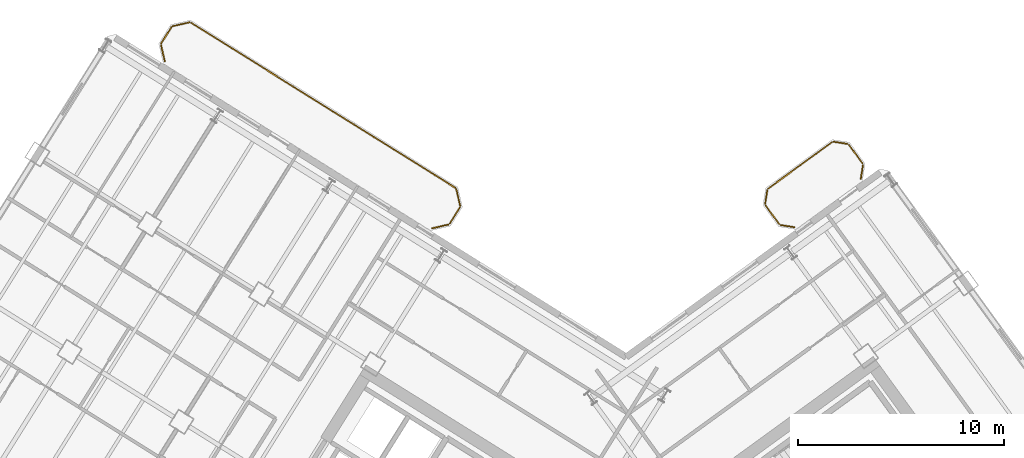
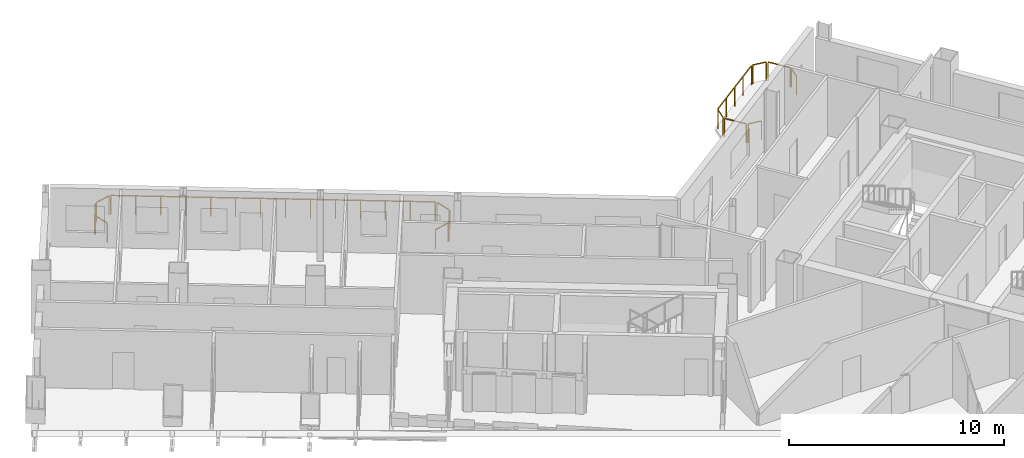
# One storey, part 20 of 20: 14 railings.
"""IFC4 building model written with IfcOpenShell, lengths in metres."""

from ifc_helpers import new_model, si_unit, direction, frame, origin, origin_2d, place, context, subcontext, project, spatial, rectangle, extrude, source, transform, mapped, material, type_object, element, save


model = new_model("IFC4")

# Units and contexts
model_context = context("Model", 3, precision=1e-05, world=origin(), true_north=direction((0.0, 1.0)))
body_context = subcontext(model_context, "Body", "Model", "MODEL_VIEW")
ifc_project = project(units=[si_unit("LENGTHUNIT", "METRE"), si_unit("AREAUNIT", "SQUARE_METRE"), si_unit("VOLUMEUNIT", "CUBIC_METRE"), si_unit("PLANEANGLEUNIT", "RADIAN"), si_unit("MASSUNIT", "GRAM", prefix="KILO")], contexts=[model_context])

# Site, building, storey
site_placement = place(None, origin())
site = spatial("IfcSite", under=ifc_project, at=site_placement, CompositionType="ELEMENT")
building_placement = place(site_placement, origin())
building = spatial("IfcBuilding", under=site, at=building_placement, Name="Tlacorven Tower", CompositionType="ELEMENT")
storey_placement = place(building_placement, frame((0.0, 0.0, 116.10009765625)))
storey = spatial("IfcBuildingStorey", under=building, at=storey_placement, Name="L29", CompositionType="ELEMENT", Elevation=116.10009765625)

# Railings
ifc_material = material(Name="Aluminium and painted steel balustrade", Category="steel")
railing_type = type_object("IfcRailingType", Name="RL-BAL-1100", PredefinedType="BALUSTRADE", material=ifc_material)
shared_shape_1 = source(origin(), body_context, "Body", "SweptSolid", [
    extrude(rectangle(XDim=0.048095703125, YDim=0.048095703125, at=origin_2d()), frame((0.0, 0.0, 1.076171875), z_axis=(0.974345290916, 0.225058334816, 0.0), x_axis=(-0.225058334816, 0.974345290916, 0.0)), (0.0, 0.0, 1.0), 0.80712890625),
    extrude(rectangle(XDim=0.0419921875, YDim=0.0419921875, at=origin_2d()), origin(), (0.0, 0.0, 1.0), 1.052001953125),
    extrude(rectangle(XDim=0.0419921875, YDim=0.0419921875, at=origin_2d()), frame((0.786376953125, 0.181640625, 0.0)), (0.0, 0.0, 1.0), 1.052001953125),
])
railing_1_placement = place(storey_placement, frame((20.2138671875, 47.643798828125, 0.0)))
element("IfcRailing", 1, at=railing_1_placement, inside=storey, type_object=railing_type, Name="BAL-L29-W-IN Guard Railing 6", PredefinedType="BALUSTRADE", context=body_context, shape_type="MappedRepresentation", body=[
    mapped(shared_shape_1, transform((0.0, 0.0, 0.0), scale=1.0)),
])
shared_shape_2 = source(origin(), body_context, "Body", "SweptSolid", [
    extrude(rectangle(XDim=0.048095703125, YDim=0.048095703125, at=origin_2d()), frame((0.0, 0.0, 1.076171875), z_axis=(-0.987661653326, 0.156602868908, 0.0), x_axis=(-0.156602868908, -0.987661653326, 0.0)), (0.0, 0.0, 1.0), 0.665771484375),
    extrude(rectangle(XDim=0.0419921875, YDim=0.0419921875, at=origin_2d()), origin(), (0.0, 0.0, 1.0), 1.052001953125),
    extrude(rectangle(XDim=0.0419921875, YDim=0.0419921875, at=origin_2d()), frame((-0.657470703125, 0.104248046875, 0.0)), (0.0, 0.0, 1.0), 1.052001953125),
])
railing_2_placement = place(storey_placement, frame((50.359130859375, 37.891845703125, 0.0)))
element("IfcRailing", 2, at=railing_2_placement, inside=storey, type_object=railing_type, Name="BAL-L29-E-IN Guard Railing 1", PredefinedType="BALUSTRADE", context=body_context, shape_type="MappedRepresentation", body=[
    mapped(shared_shape_2, transform((0.0, 0.0, 0.0), scale=1.0)),
])
shared_shape_3 = source(origin(), body_context, "Body", "SweptSolid", [
    extrude(rectangle(XDim=0.048095703125, YDim=0.048095703125, at=origin_2d()), frame((0.0, 0.0, 1.076171875), z_axis=(0.156602868908, 0.987661653326, 0.0), x_axis=(-0.987661653326, 0.156602868908, 0.0)), (0.0, 0.0, 1.0), 0.665771484375),
    extrude(rectangle(XDim=0.0419921875, YDim=0.0419921875, at=origin_2d()), origin(), (0.0, 0.0, 1.0), 1.052001953125),
    extrude(rectangle(XDim=0.0419921875, YDim=0.0419921875, at=origin_2d()), frame((0.104248046875, 0.657470703125, 0.0)), (0.0, 0.0, 1.0), 1.052001953125),
])
railing_3_placement = place(storey_placement, frame((48.947509765625, 39.033935546875, 0.0)))
element("IfcRailing", 3, at=railing_3_placement, inside=storey, type_object=railing_type, Name="BAL-L29-E-IN Guard Railing 3", PredefinedType="BALUSTRADE", context=body_context, shape_type="MappedRepresentation", body=[
    mapped(shared_shape_3, transform((0.0, 0.0, 0.0), scale=1.0)),
])
shared_shape_4 = source(origin(), body_context, "Body", "SweptSolid", [
    extrude(rectangle(XDim=0.048095703125, YDim=0.048095703125, at=origin_2d()), frame((0.0, 0.0, 1.076171875), z_axis=(-0.156245081039, -0.987718317463, 0.0), x_axis=(0.987718317463, -0.156245081039, 0.0)), (0.0, 0.0, 1.0), 0.66552734375),
    extrude(rectangle(XDim=0.0419921875, YDim=0.0419921875, at=origin_2d()), origin(), (0.0, 0.0, 1.0), 1.052001953125),
    extrude(rectangle(XDim=0.0419921875, YDim=0.0419921875, at=origin_2d()), frame((-0.10400390625, -0.657470703125, 0.0)), (0.0, 0.0, 1.0), 1.052001953125),
])
railing_4_placement = place(storey_placement, frame((53.689453125, 40.893310546875, 0.0)))
element("IfcRailing", 4, at=railing_4_placement, inside=storey, type_object=railing_type, Name="BAL-L29-E-IN Guard Railing 7", PredefinedType="BALUSTRADE", context=body_context, shape_type="MappedRepresentation", body=[
    mapped(shared_shape_4, transform((0.0, 0.0, 0.0), scale=1.0)),
])
shared_shape_5 = source(origin(), body_context, "Body", "SweptSolid", [
    extrude(rectangle(XDim=0.048095703125, YDim=0.048095703125, at=origin_2d()), frame((0.0, 0.0, 1.076171875), z_axis=(0.529998940003, 0.847998304005, 0.0), x_axis=(-0.847998304005, 0.529998940003, 0.0)), (0.0, 0.0, 1.0), 0.912109375),
    extrude(rectangle(XDim=0.0419921875, YDim=0.0419921875, at=origin_2d()), origin(), (0.0, 0.0, 1.0), 1.052001953125),
    extrude(rectangle(XDim=0.0419921875, YDim=0.0419921875, at=origin_2d()), frame((0.4833984375, 0.7734375, 0.0)), (0.0, 0.0, 1.0), 1.052001953125),
])
railing_5_placement = place(storey_placement, frame((19.6552734375, 46.816650390625, 0.0)))
element("IfcRailing", 5, at=railing_5_placement, inside=storey, type_object=railing_type, Name="BAL-L29-W-IN Guard Railing 5", PredefinedType="BALUSTRADE", context=body_context, shape_type="MappedRepresentation", body=[
    mapped(shared_shape_5, transform((0.0, 0.0, 0.0), scale=1.0)),
])
shared_shape_6 = source(origin(), body_context, "Body", "SweptSolid", [
    extrude(rectangle(XDim=0.048095703125, YDim=0.048095703125, at=origin_2d()), frame((0.0, 0.0, 1.076171875), z_axis=(0.224992020761, -0.974360606036, 0.0), x_axis=(0.974360606036, 0.224992020761, 0.0)), (0.0, 0.0, 1.0), 0.807373046875),
    extrude(rectangle(XDim=0.0419921875, YDim=0.0419921875, at=origin_2d()), origin(), (0.0, 0.0, 1.0), 1.052001953125),
    extrude(rectangle(XDim=0.0419921875, YDim=0.0419921875, at=origin_2d()), frame((0.181640625, -0.78662109375, 0.0)), (0.0, 0.0, 1.0), 1.052001953125),
])
railing_6_placement = place(storey_placement, frame((33.965087890625, 39.72412109375, 0.0)))
element("IfcRailing", 6, at=railing_6_placement, inside=storey, type_object=railing_type, Name="BAL-L29-W-IN Guard Railing 1", PredefinedType="BALUSTRADE", context=body_context, shape_type="MappedRepresentation", body=[
    mapped(shared_shape_6, transform((0.0, 0.0, 0.0), scale=1.0)),
])
shared_shape_7 = source(origin(), body_context, "Body", "SweptSolid", [
    extrude(rectangle(XDim=0.048095703125, YDim=0.048095703125, at=origin_2d()), frame((0.0, 0.0, 1.076171875), z_axis=(-0.529998940003, -0.847998304005, 0.0), x_axis=(0.847998304005, -0.529998940003, 0.0)), (0.0, 0.0, 1.0), 0.912109375),
    extrude(rectangle(XDim=0.0419921875, YDim=0.0419921875, at=origin_2d()), origin(), (0.0, 0.0, 1.0), 1.052001953125),
    extrude(rectangle(XDim=0.0419921875, YDim=0.0419921875, at=origin_2d()), frame((-0.4833984375, -0.7734375, 0.0)), (0.0, 0.0, 1.0), 1.052001953125),
])
railing_7_placement = place(storey_placement, frame((34.131591796875, 38.846435546875, 0.0)))
element("IfcRailing", 7, at=railing_7_placement, inside=storey, type_object=railing_type, Name="BAL-L29-W-IN Guard Railing 2", PredefinedType="BALUSTRADE", context=body_context, shape_type="MappedRepresentation", body=[
    mapped(shared_shape_7, transform((0.0, 0.0, 0.0), scale=1.0)),
])
shared_shape_8 = source(origin(), body_context, "Body", "SweptSolid", [
    extrude(rectangle(XDim=0.048095703125, YDim=0.048095703125, at=origin_2d()), frame((0.0, 0.0, 1.076171875), z_axis=(-0.974360606036, -0.224992020761, 0.0), x_axis=(0.224992020761, -0.974360606036, 0.0)), (0.0, 0.0, 1.0), 0.807373046875),
    extrude(rectangle(XDim=0.0419921875, YDim=0.0419921875, at=origin_2d()), origin(), (0.0, 0.0, 1.0), 1.052001953125),
    extrude(rectangle(XDim=0.0419921875, YDim=0.0419921875, at=origin_2d()), frame((-0.78662109375, -0.181640625, 0.0)), (0.0, 0.0, 1.0), 1.052001953125),
])
railing_8_placement = place(storey_placement, frame((33.572998046875, 38.019287109375, 0.0)))
element("IfcRailing", 8, at=railing_8_placement, inside=storey, type_object=railing_type, Name="BAL-L29-W-IN Guard Railing 3", PredefinedType="BALUSTRADE", context=body_context, shape_type="MappedRepresentation", body=[
    mapped(shared_shape_8, transform((0.0, 0.0, 0.0), scale=1.0)),
])
shared_shape_9 = source(origin(), body_context, "Body", "SweptSolid", [
    extrude(rectangle(XDim=0.048095703125, YDim=0.048095703125, at=origin_2d()), frame((0.0, 0.0, 1.076171875), z_axis=(-0.22470489119, 0.974426863277, 0.0), x_axis=(-0.974426863277, -0.22470489119, 0.0)), (0.0, 0.0, 1.0), 0.807373046875),
    extrude(rectangle(XDim=0.0419921875, YDim=0.0419921875, at=origin_2d()), origin(), (0.0, 0.0, 1.0), 1.052001953125),
    extrude(rectangle(XDim=0.0419921875, YDim=0.0419921875, at=origin_2d()), frame((-0.181396484375, 0.78662109375, 0.0)), (0.0, 0.0, 1.0), 1.052001953125),
])
railing_9_placement = place(storey_placement, frame((19.821533203125, 45.93896484375, 0.0)))
element("IfcRailing", 9, at=railing_9_placement, inside=storey, type_object=railing_type, Name="BAL-L29-W-IN Guard Railing 4", PredefinedType="BALUSTRADE", context=body_context, shape_type="MappedRepresentation", body=[
    mapped(shared_shape_9, transform((0.0, 0.0, 0.0), scale=1.0)),
])
shared_shape_10 = source(origin(), body_context, "Body", "SweptSolid", [
    extrude(rectangle(XDim=0.048095703125, YDim=0.048095703125, at=origin_2d()), frame((0.0, 0.0, 1.076171875), z_axis=(0.848051830527, -0.529913287944, 0.0), x_axis=(0.529913287944, 0.848051830527, 0.0)), (0.0, 0.0, 1.0), 15.1171875),
    extrude(rectangle(XDim=0.0419921875, YDim=0.0419921875, at=origin_2d()), origin(), (0.0, 0.0, 1.0), 1.052001953125),
    extrude(rectangle(XDim=0.0419921875, YDim=0.0419921875, at=origin_2d()), frame((0.986083984375, -0.6162109375, 0.0)), (0.0, 0.0, 1.0), 1.052001953125),
    extrude(rectangle(XDim=0.0419921875, YDim=0.0419921875, at=origin_2d()), frame((1.972412109375, -1.232421875, 0.0)), (0.0, 0.0, 1.0), 1.052001953125),
    extrude(rectangle(XDim=0.0419921875, YDim=0.0419921875, at=origin_2d()), frame((2.95849609375, -1.8486328125, 0.0)), (0.0, 0.0, 1.0), 1.052001953125),
    extrude(rectangle(XDim=0.0419921875, YDim=0.0419921875, at=origin_2d()), frame((3.944580078125, -2.46484375, 0.0)), (0.0, 0.0, 1.0), 1.052001953125),
    extrude(rectangle(XDim=0.0419921875, YDim=0.0419921875, at=origin_2d()), frame((4.930908203125, -3.0810546875, 0.0)), (0.0, 0.0, 1.0), 1.052001953125),
    extrude(rectangle(XDim=0.0419921875, YDim=0.0419921875, at=origin_2d()), frame((5.9169921875, -3.697265625, 0.0)), (0.0, 0.0, 1.0), 1.052001953125),
    extrude(rectangle(XDim=0.0419921875, YDim=0.0419921875, at=origin_2d()), frame((6.903076171875, -4.3134765625, 0.0)), (0.0, 0.0, 1.0), 1.052001953125),
    extrude(rectangle(XDim=0.0419921875, YDim=0.0419921875, at=origin_2d()), frame((7.88916015625, -4.9296875, 0.0)), (0.0, 0.0, 1.0), 1.052001953125),
    extrude(rectangle(XDim=0.0419921875, YDim=0.0419921875, at=origin_2d()), frame((8.87548828125, -5.5458984375, 0.0)), (0.0, 0.0, 1.0), 1.052001953125),
    extrude(rectangle(XDim=0.0419921875, YDim=0.0419921875, at=origin_2d()), frame((9.861572265625, -6.162109375, 0.0)), (0.0, 0.0, 1.0), 1.052001953125),
    extrude(rectangle(XDim=0.0419921875, YDim=0.0419921875, at=origin_2d()), frame((10.84765625, -6.7783203125, 0.0)), (0.0, 0.0, 1.0), 1.052001953125),
    extrude(rectangle(XDim=0.0419921875, YDim=0.0419921875, at=origin_2d()), frame((11.833984375, -7.39453125, 0.0)), (0.0, 0.0, 1.0), 1.052001953125),
    extrude(rectangle(XDim=0.0419921875, YDim=0.0419921875, at=origin_2d()), frame((12.820068359375, -8.0107421875, 0.0)), (0.0, 0.0, 1.0), 1.052001953125),
])
railing_10_placement = place(storey_placement, frame((21.091552734375, 47.81005859375, 0.0)))
element("IfcRailing", 10, at=railing_10_placement, inside=storey, type_object=railing_type, Name="BAL-L29-W-IN Guard Railing 7", PredefinedType="BALUSTRADE", context=body_context, shape_type="MappedRepresentation", body=[
    mapped(shared_shape_10, transform((0.0, 0.0, 0.0), scale=1.0)),
])
shared_shape_11 = source(origin(), body_context, "Body", "SweptSolid", [
    extrude(rectangle(XDim=0.048095703125, YDim=0.048095703125, at=origin_2d()), frame((0.0, 0.0, 1.076171875), z_axis=(-0.587636431696, 0.809125097957, 0.0), x_axis=(-0.809125097957, -0.587636431696, 0.0)), (0.0, 0.0, 1.0), 1.1123046875),
    extrude(rectangle(XDim=0.0419921875, YDim=0.0419921875, at=origin_2d()), origin(), (0.0, 0.0, 1.0), 1.052001953125),
    extrude(rectangle(XDim=0.0419921875, YDim=0.0419921875, at=origin_2d()), frame((-0.653564453125, 0.89990234375, 0.0)), (0.0, 0.0, 1.0), 1.052001953125),
])
railing_11_placement = place(storey_placement, frame((49.622802734375, 38.044189453125, 0.0)))
element("IfcRailing", 11, at=railing_11_placement, inside=storey, type_object=railing_type, Name="BAL-L29-E-IN Guard Railing 2", PredefinedType="BALUSTRADE", context=body_context, shape_type="MappedRepresentation", body=[
    mapped(shared_shape_11, transform((0.0, 0.0, 0.0), scale=1.0)),
])
shared_shape_12 = source(origin(), body_context, "Body", "SweptSolid", [
    extrude(rectangle(XDim=0.048095703125, YDim=0.048095703125, at=origin_2d()), frame((0.0, 0.0, 1.076171875), z_axis=(0.809018102573, 0.587783726986, 0.0), x_axis=(-0.587783726986, 0.809018102573, 0.0)), (0.0, 0.0, 1.0), 3.817138671875),
    extrude(rectangle(XDim=0.0419921875, YDim=0.0419921875, at=origin_2d()), origin(), (0.0, 0.0, 1.0), 1.052001953125),
    extrude(rectangle(XDim=0.0419921875, YDim=0.0419921875, at=origin_2d()), frame((0.77197265625, 0.56103515625, 0.0)), (0.0, 0.0, 1.0), 1.052001953125),
    extrude(rectangle(XDim=0.0419921875, YDim=0.0419921875, at=origin_2d()), frame((1.5439453125, 1.121826171875, 0.0)), (0.0, 0.0, 1.0), 1.052001953125),
    extrude(rectangle(XDim=0.0419921875, YDim=0.0419921875, at=origin_2d()), frame((2.316162109375, 1.6826171875, 0.0)), (0.0, 0.0, 1.0), 1.052001953125),
    extrude(rectangle(XDim=0.0419921875, YDim=0.0419921875, at=origin_2d()), frame((3.088134765625, 2.24365234375, 0.0)), (0.0, 0.0, 1.0), 1.052001953125),
])
railing_12_placement = place(storey_placement, frame((49.10009765625, 39.77001953125, 0.0)))
element("IfcRailing", 12, at=railing_12_placement, inside=storey, type_object=railing_type, Name="BAL-L29-E-IN Guard Railing 4", PredefinedType="BALUSTRADE", context=body_context, shape_type="MappedRepresentation", body=[
    mapped(shared_shape_12, transform((0.0, 0.0, 0.0), scale=1.0)),
])
shared_shape_13 = source(origin(), body_context, "Body", "SweptSolid", [
    extrude(rectangle(XDim=0.048095703125, YDim=0.048095703125, at=origin_2d()), frame((0.0, 0.0, 1.076171875), z_axis=(0.987661653326, -0.156602868908, 0.0), x_axis=(0.156602868908, 0.987661653326, 0.0)), (0.0, 0.0, 1.0), 0.665771484375),
    extrude(rectangle(XDim=0.0419921875, YDim=0.0419921875, at=origin_2d()), origin(), (0.0, 0.0, 1.0), 1.052001953125),
    extrude(rectangle(XDim=0.0419921875, YDim=0.0419921875, at=origin_2d()), frame((0.657470703125, -0.104248046875, 0.0)), (0.0, 0.0, 1.0), 1.052001953125),
])
railing_13_placement = place(storey_placement, frame((52.278076171875, 42.035400390625, 0.0)))
element("IfcRailing", 13, at=railing_13_placement, inside=storey, type_object=railing_type, Name="BAL-L29-E-IN Guard Railing 5", PredefinedType="BALUSTRADE", context=body_context, shape_type="MappedRepresentation", body=[
    mapped(shared_shape_13, transform((0.0, 0.0, 0.0), scale=1.0)),
])
shared_shape_14 = source(origin(), body_context, "Body", "SweptSolid", [
    extrude(rectangle(XDim=0.048095703125, YDim=0.048095703125, at=origin_2d()), frame((0.0, 0.0, 1.076171875), z_axis=(0.587780115446, -0.809020726488, 0.0), x_axis=(0.809020726488, 0.587780115446, 0.0)), (0.0, 0.0, 1.0), 1.1123046875),
    extrude(rectangle(XDim=0.0419921875, YDim=0.0419921875, at=origin_2d()), origin(), (0.0, 0.0, 1.0), 1.052001953125),
    extrude(rectangle(XDim=0.0419921875, YDim=0.0419921875, at=origin_2d()), frame((0.65380859375, -0.89990234375, 0.0)), (0.0, 0.0, 1.0), 1.052001953125),
])
railing_14_placement = place(storey_placement, frame((53.01416015625, 41.883056640625, 0.0)))
element("IfcRailing", 14, at=railing_14_placement, inside=storey, type_object=railing_type, Name="BAL-L29-E-IN Guard Railing 6", PredefinedType="BALUSTRADE", context=body_context, shape_type="MappedRepresentation", body=[
    mapped(shared_shape_14, transform((0.0, 0.0, 0.0), scale=1.0)),
])

save(model, "model.ifc")
